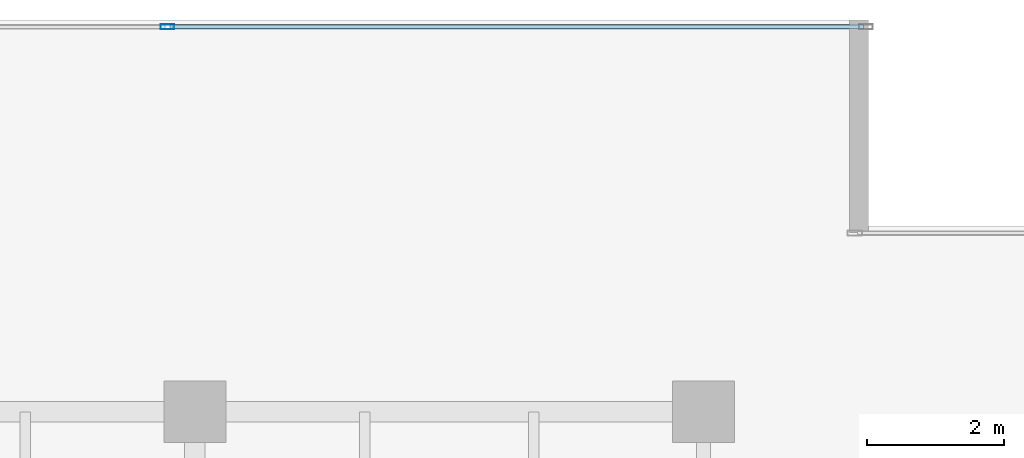
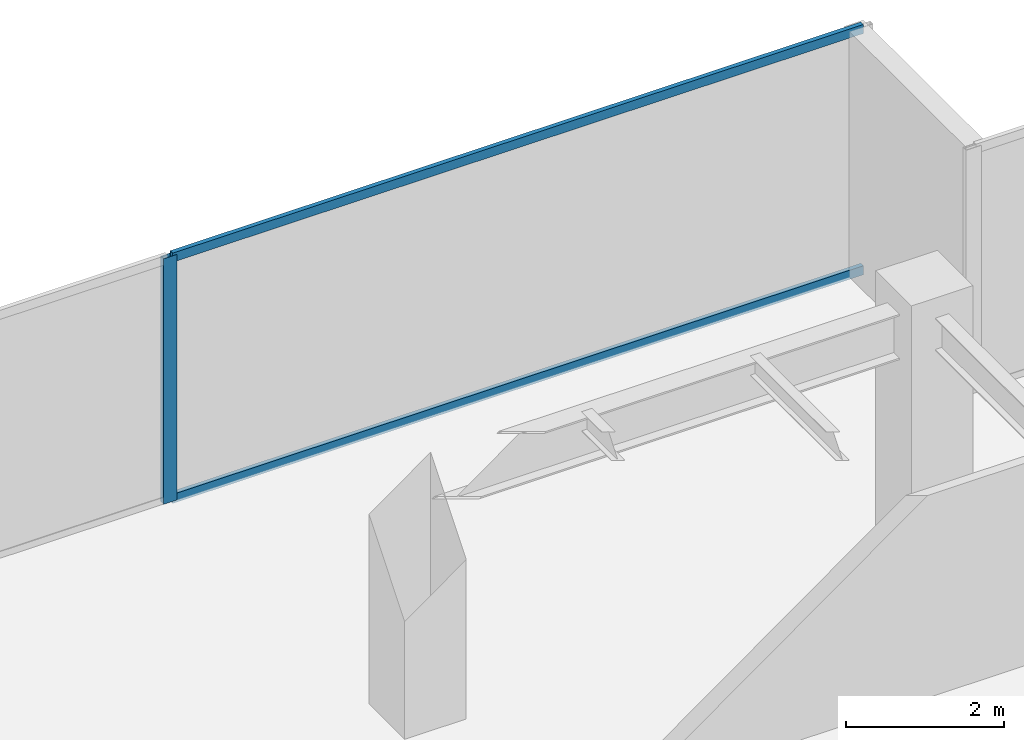
# One storey, part 20 of 30: 3 members, 1 element without a shape of its own.
"""IFC4 building model written with IfcOpenShell, lengths in metres."""

from ifc_helpers import new_model, si_unit, direction, frame, origin, origin_2d, place, context, subcontext, project, spatial, hollow_rectangle, extrude, source, transform, mapped, material, layer, layer_set, material_profile, profile_set, type_object, type_shapes, element, aggregate, save


model = new_model("IFC4")

# Units and contexts
model_context = context("Model", 3, precision=1e-05, world=origin(), true_north=direction((0.0, 1.0)))
body_context = subcontext(model_context, "Body", "Model", "MODEL_VIEW")
ifc_project = project(units=[si_unit("LENGTHUNIT", "METRE"), si_unit("AREAUNIT", "SQUARE_METRE"), si_unit("VOLUMEUNIT", "CUBIC_METRE"), si_unit("PLANEANGLEUNIT", "RADIAN"), si_unit("MASSUNIT", "GRAM", prefix="KILO")], contexts=[model_context])

# Site, building, storey
site_placement = place(None, origin())
site = spatial("IfcSite", under=ifc_project, at=site_placement, CompositionType="ELEMENT")
building_placement = place(site_placement, origin())
building = spatial("IfcBuilding", under=site, at=building_placement, Name="Haelvirn Gate Laboratories", CompositionType="ELEMENT")
storey_placement = place(building_placement, frame((0.0, 0.0, 142.0)))
storey = spatial("IfcBuildingStorey", under=building, at=storey_placement, Name="L34", CompositionType="ELEMENT", Elevation=142.0)

# Curtain wall, members
ifc_material_1 = material(Name="Anodised bronze unitised aluminium & triple low-E glass", Category="aluminium")
ifc_layer = layer(ifc_material_1, 0.179931640625, Name="CW-SYS-3")
ifc_layer_set = layer_set([ifc_layer], Name="Anodised bronze unitised aluminium & triple low-E glass")
curtain_wall_type = type_object("IfcCurtainWallType", Name="CW-SYS-3", PredefinedType="NOTDEFINED", material=ifc_layer_set)
curtain_wall_placement = place(storey_placement, origin())
curtain_wall = element("IfcCurtainWall", 1, at=curtain_wall_placement, inside=storey, type_object=curtain_wall_type, Name="L34 Unitised Curtain Wall CW-L34-P0-E10-1", PredefinedType="NOTDEFINED")
ifc_material_2 = material(Name="Extruded aluminium 6063-T6 (anodised bronze)", Category="aluminium")
ifc_material_profile_1 = material_profile(ifc_material_2, hollow_rectangle(XDim=0.06494140625, YDim=0.139892578125, WallThickness=0.00390625, at=origin_2d()), Name="CWT-140x65x4")
ifc_profile_set_1 = profile_set([ifc_material_profile_1], Name="Extruded aluminium 6063-T6 (anodised bronze)")
member_type_1 = type_object("IfcMemberType", Name="CWT-T140", PredefinedType="USERDEFINED", material=ifc_profile_set_1)
shared_shape_1 = source(origin(), body_context, "Body", "SweptSolid", [
    extrude(hollow_rectangle(XDim=0.06494140625, YDim=0.139892578125, WallThickness=0.00390625, at=origin_2d()), origin(), (0.0, 0.0, 1.0), 10.087646484375),
])
type_shapes(member_type_1, [shared_shape_1])
member_1_placement = place(storey_placement, frame((59.637451171875, 47.199951171875, 0.032470703125), z_axis=(1.0, 0.0, 0.0), x_axis=(0.0, 1.0, 0.0)))
member_1 = element("IfcMember", 2, at=member_1_placement, type_object=member_type_1, Name="CW3 transom 2.1", ObjectType="TRANSOM", PredefinedType="USERDEFINED", context=body_context, shape_type="MappedRepresentation", body=[
    mapped(shared_shape_1, transform((0.0, 0.0, 0.0), scale=1.0)),
])
member_2_placement = place(storey_placement, frame((59.637451171875, 47.199951171875, 3.757568359375), z_axis=(1.0, 0.0, 0.0), x_axis=(0.0, 1.0, 0.0)))
member_2 = element("IfcMember", 3, at=member_2_placement, type_object=member_type_1, Name="CW3 transom 2.2", ObjectType="TRANSOM", PredefinedType="USERDEFINED", context=body_context, shape_type="MappedRepresentation", body=[
    mapped(shared_shape_1, transform((0.0, 0.0, 0.0), scale=1.0)),
])
ifc_material_profile_2 = material_profile(ifc_material_2, hollow_rectangle(XDim=0.074951171875, YDim=0.199951171875, WallThickness=0.0048828125, at=origin_2d()), Name="CWM-200x75x5")
ifc_profile_set_2 = profile_set([ifc_material_profile_2], Name="Extruded aluminium 6063-T6 (anodised bronze)")
member_type_2 = type_object("IfcMemberType", Name="CWM-T200", PredefinedType="MULLION", material=ifc_profile_set_2)
shared_shape_2 = source(origin(), body_context, "Body", "SweptSolid", [
    extrude(hollow_rectangle(XDim=0.074951171875, YDim=0.199951171875, WallThickness=0.0048828125, at=origin_2d()), origin(), (0.0, 0.0, 1.0), 3.7900390625),
])
type_shapes(member_type_2, [shared_shape_2])
member_3_placement = place(storey_placement, frame((59.60009765625, 47.199951171875, 0.0), z_axis=(0.0, 0.0, 1.0), x_axis=(0.0, 1.0, 0.0)))
member_3 = element("IfcMember", 4, at=member_3_placement, type_object=member_type_2, Name="CW3 mullion 2", PredefinedType="MULLION", context=body_context, shape_type="MappedRepresentation", body=[
    mapped(shared_shape_2, transform((0.0, 0.0, 0.0), scale=1.0)),
])
aggregate(curtain_wall, [member_3, member_1, member_2])

save(model, "model.ifc")
